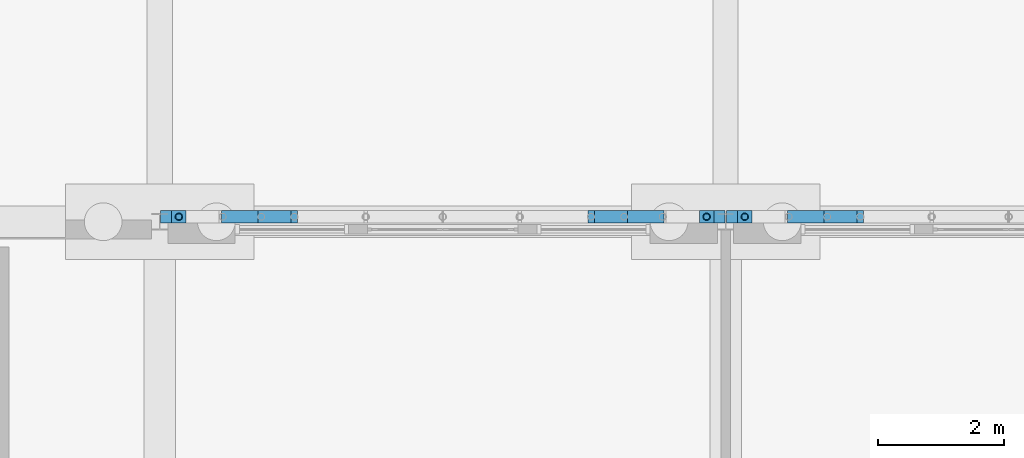
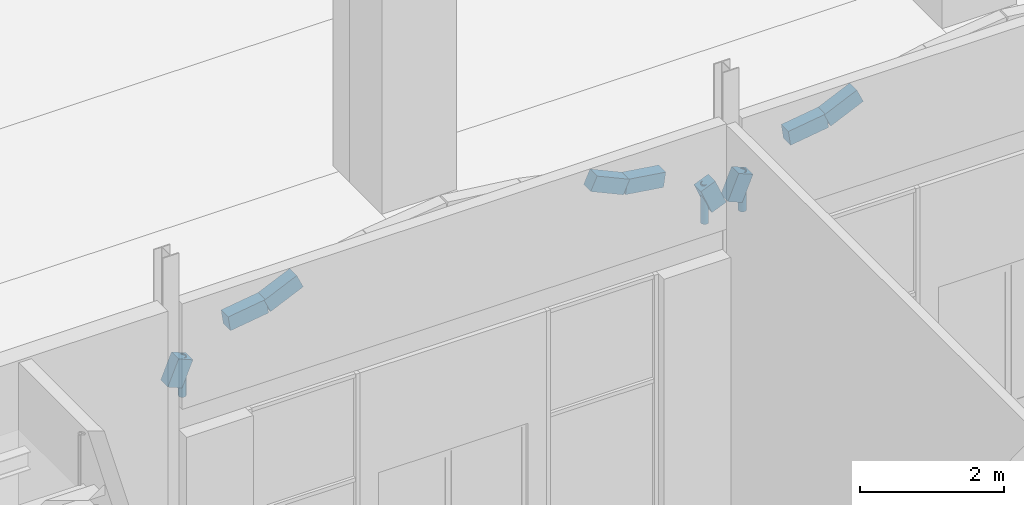
# One storey, part 66 of 250: 9 beams, 3 members.
"""IFC4 building model written with IfcOpenShell, lengths in metres."""

from ifc_helpers import new_model, si_unit, direction, frame, origin, origin_2d, place, context, subcontext, project, spatial, rectangle, hollow_circle, extrude, material, material_profile, profile_set, type_object, element, save


model = new_model("IFC4")

# Units and contexts
model_context = context("Model", 3, precision=1e-05, world=origin(), true_north=direction((0.0, 1.0)))
body_context = subcontext(model_context, "Body", "Model", "MODEL_VIEW")
ifc_project = project(units=[si_unit("LENGTHUNIT", "METRE"), si_unit("AREAUNIT", "SQUARE_METRE"), si_unit("VOLUMEUNIT", "CUBIC_METRE"), si_unit("PLANEANGLEUNIT", "RADIAN"), si_unit("MASSUNIT", "GRAM", prefix="KILO")], contexts=[model_context])

# Site, building, storey
site_placement = place(None, origin())
site = spatial("IfcSite", under=ifc_project, at=site_placement, CompositionType="ELEMENT")
building_placement = place(site_placement, origin())
building = spatial("IfcBuilding", under=site, at=building_placement, Name="Baradari Gate Terminus", CompositionType="ELEMENT")
storey_placement = place(building_placement, origin())
storey = spatial("IfcBuildingStorey", under=building, at=storey_placement, Name="L00", CompositionType="ELEMENT", Elevation=0.0)

# Members
ifc_material_1 = material(Name="Steel S355", Category="steel")
ifc_material_profile_1 = material_profile(ifc_material_1, hollow_circle(Radius=0.05712890625, WallThickness=0.00634765625, at=origin_2d()), Name="CHS 114.3x6.3")
ifc_profile_set_1 = profile_set([ifc_material_profile_1], Name="Steel S355")
member_type = type_object("IfcMemberType", Name="Arcade arch post SP-2 114x6.3", PredefinedType="POST", material=ifc_profile_set_1)
for number, where, z_axis, x_axis, name in (
    (1, (72.302978515625, 108.07861328125, 4.89990234375), (0.0, 0.0, 1.0), (1.0, 0.0, 0.0), "Arcade arch post 8.2"),
    (2, (80.697021484375, 108.07861328125, 4.89990234375), (0.0, 0.0, 1.0), (1.0, 0.0, 0.0), "Arcade arch post 8.12"),
    (3, (81.302978515625, 108.07861328125, 4.89990234375), (0.0, 0.0, 1.0), (1.0, 0.0, 0.0), "Arcade arch post 9.2"),
):
    element("IfcMember", number, at=place(storey_placement, frame(where, z_axis=z_axis, x_axis=x_axis)), inside=storey, type_object=member_type, Name=name, PredefinedType="POST", context=body_context, shape_type="SweptSolid", body=[
        extrude(hollow_circle(Radius=0.05712890625, WallThickness=0.00634765625, at=origin_2d()), origin(), (0.0, 0.0, 1.0), 0.66796875),
    ])

# Beams
ifc_material_2 = material(Name="Concrete C40/50 precast", Category="concrete")
ifc_material_profile_2 = material_profile(ifc_material_2, rectangle(XDim=0.199951171875, YDim=0.25, at=origin_2d()), Name="AB-1 200X250")
ifc_profile_set_2 = profile_set([ifc_material_profile_2], Name="Concrete C40/50 precast")
beam_type = type_object("IfcBeamType", Name="Arcade arch segment AB-1 200x250", PredefinedType="BEAM", material=ifc_profile_set_2)
beam_1_placement = place(storey_placement, frame((72.128173828125, 108.07861328125, 5.14990234375), z_axis=(0.385839488106, 0.0, 0.922565926868), x_axis=(0.0, 1.0, 0.0)))
element("IfcBeam", 4, at=beam_1_placement, inside=storey, type_object=beam_type, Name="Arcade arch AB-1 bay 8 segment 1", PredefinedType="BEAM", context=body_context, shape_type="SweptSolid", body=[
    extrude(rectangle(XDim=0.199951171875, YDim=0.25, at=origin_2d()), origin(), (0.0, 0.0, 1.0), 0.453125),
])
beam_2_placement = place(storey_placement, frame((73.00244140625, 108.07861328125, 5.92578125), z_axis=(0.989454167091, 0.0, 0.144846302083), x_axis=(0.0, 1.0, 0.0)))
element("IfcBeam", 5, at=beam_2_placement, inside=storey, type_object=beam_type, Name="Arcade arch AB-1 bay 8 segment 3", PredefinedType="BEAM", context=body_context, shape_type="SweptSolid", body=[
    extrude(rectangle(XDim=0.199951171875, YDim=0.25, at=origin_2d()), origin(), (0.0, 0.0, 1.0), 0.61865234375),
])
for number, where, z_axis, x_axis, name in (
    (6, (73.614501953125, 108.07861328125, 6.015380859375), (0.910177822616, 0.0, 0.414217734071), (0.0, 1.0, 0.0), "Arcade arch AB-1 bay 8 segment 4"),
    (7, (78.86083984375, 108.07861328125, 6.254150390625), (0.910177822616, 0.0, -0.414217734071), (0.0, 1.0, 0.0), "Arcade arch AB-1 bay 8 segment 9"),
):
    element("IfcBeam", number, at=place(storey_placement, frame(where, z_axis=z_axis, x_axis=x_axis)), inside=storey, type_object=beam_type, Name=name, PredefinedType="BEAM", context=body_context, shape_type="SweptSolid", body=[
        extrude(rectangle(XDim=0.199951171875, YDim=0.25, at=origin_2d()), origin(), (0.0, 0.0, 1.0), 0.576416015625),
    ])
beam_3_placement = place(storey_placement, frame((79.385498046875, 108.07861328125, 6.015380859375), z_axis=(0.989454167091, 0.0, -0.144846302083), x_axis=(0.0, 1.0, 0.0)))
element("IfcBeam", 8, at=beam_3_placement, inside=storey, type_object=beam_type, Name="Arcade arch AB-1 bay 8 segment 10", PredefinedType="BEAM", context=body_context, shape_type="SweptSolid", body=[
    extrude(rectangle(XDim=0.199951171875, YDim=0.25, at=origin_2d()), origin(), (0.0, 0.0, 1.0), 0.61865234375),
])
for number, where, z_axis, x_axis, name in (
    (9, (80.697021484375, 108.07861328125, 5.56787109375), (0.385839488106, 0.0, -0.922565926868), (0.0, 1.0, 0.0), "Arcade arch AB-1 bay 8 segment 12"),
    (10, (81.128173828125, 108.07861328125, 5.14990234375), (0.385839488106, 0.0, 0.922565926868), (0.0, 1.0, 0.0), "Arcade arch AB-1 bay 9 segment 1"),
):
    element("IfcBeam", number, at=place(storey_placement, frame(where, z_axis=z_axis, x_axis=x_axis)), inside=storey, type_object=beam_type, Name=name, PredefinedType="BEAM", context=body_context, shape_type="SweptSolid", body=[
        extrude(rectangle(XDim=0.199951171875, YDim=0.25, at=origin_2d()), origin(), (0.0, 0.0, 1.0), 0.453125),
    ])
beam_4_placement = place(storey_placement, frame((82.00244140625, 108.07861328125, 5.92578125), z_axis=(0.989454167091, 0.0, 0.144846302083), x_axis=(0.0, 1.0, 0.0)))
element("IfcBeam", 11, at=beam_4_placement, inside=storey, type_object=beam_type, Name="Arcade arch AB-1 bay 9 segment 3", PredefinedType="BEAM", context=body_context, shape_type="SweptSolid", body=[
    extrude(rectangle(XDim=0.199951171875, YDim=0.25, at=origin_2d()), origin(), (0.0, 0.0, 1.0), 0.61865234375),
])
beam_5_placement = place(storey_placement, frame((82.614501953125, 108.07861328125, 6.015380859375), z_axis=(0.910177822616, 0.0, 0.414217734071), x_axis=(0.0, 1.0, 0.0)))
element("IfcBeam", 12, at=beam_5_placement, inside=storey, type_object=beam_type, Name="Arcade arch AB-1 bay 9 segment 4", PredefinedType="BEAM", context=body_context, shape_type="SweptSolid", body=[
    extrude(rectangle(XDim=0.199951171875, YDim=0.25, at=origin_2d()), origin(), (0.0, 0.0, 1.0), 0.576416015625),
])

save(model, "model.ifc")
